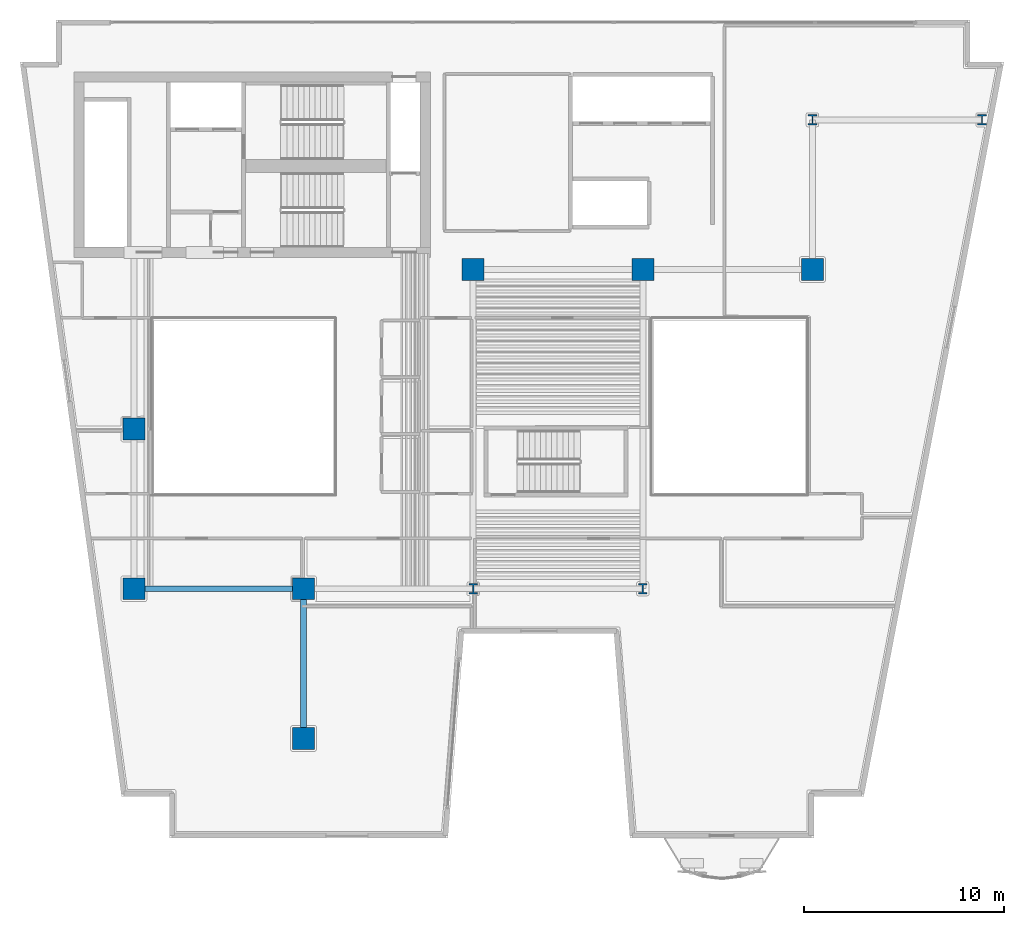
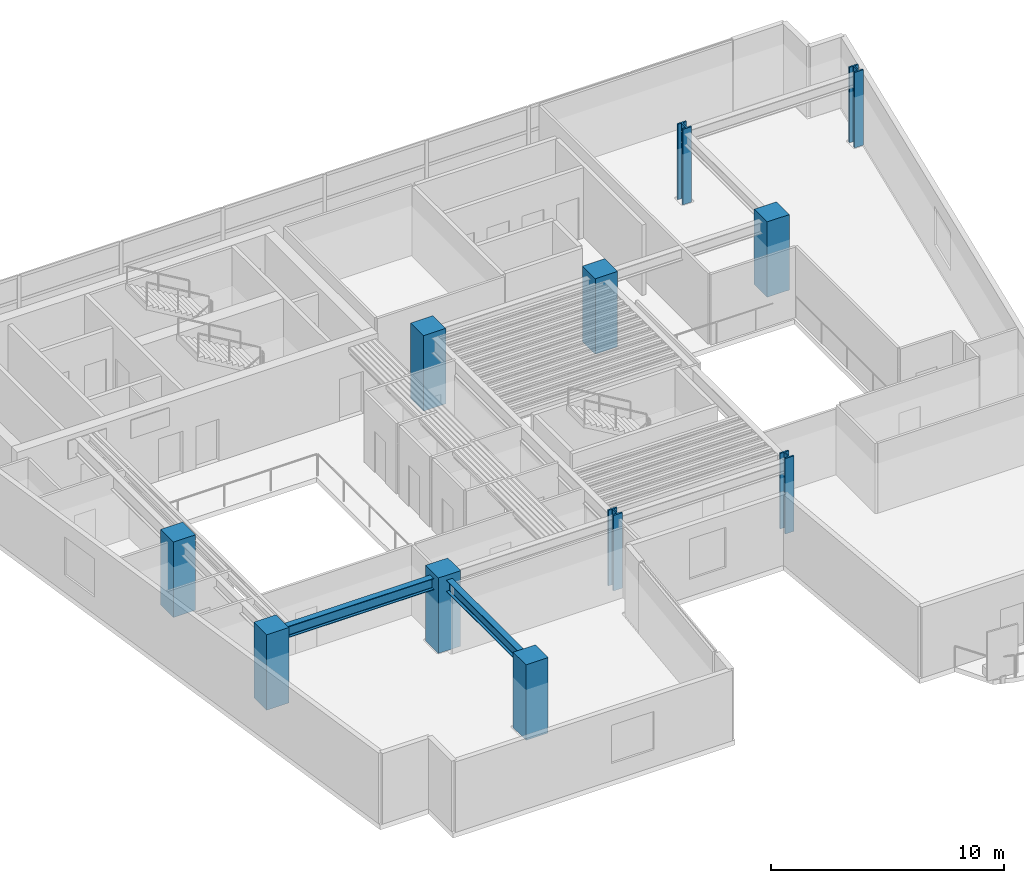
# One storey, part 1 of 12: 11 columns, 2 beams.
"""IFC4 building model written with IfcOpenShell, lengths in metres."""

from ifc_helpers import new_model, si_unit, direction, frame, origin, origin_2d, place, context, subcontext, project, spatial, rectangle, i_section, extrude, material, material_profile, profile_set, type_object, element, save


model = new_model("IFC4")

# Units and contexts
model_context = context("Model", 3, precision=1e-05, world=origin(), true_north=direction((0.0, 1.0)))
body_context = subcontext(model_context, "Body", "Model", "MODEL_VIEW")
ifc_project = project(units=[si_unit("LENGTHUNIT", "METRE"), si_unit("AREAUNIT", "SQUARE_METRE"), si_unit("VOLUMEUNIT", "CUBIC_METRE"), si_unit("PLANEANGLEUNIT", "RADIAN"), si_unit("MASSUNIT", "GRAM", prefix="KILO")], contexts=[model_context])

# Site, building, storey
site_placement = place(None, origin())
site = spatial("IfcSite", under=ifc_project, at=site_placement, CompositionType="ELEMENT")
building_placement = place(site_placement, origin())
building = spatial("IfcBuilding", under=site, at=building_placement, Name="Caeloran Harvest Quay", CompositionType="ELEMENT")
storey_placement = place(building_placement, frame((0.0, 0.0, 119.300048828125)))
storey = spatial("IfcBuildingStorey", under=building, at=storey_placement, Name="L27", CompositionType="ELEMENT", Elevation=119.300048828125)

# Columns
ifc_material_1 = material(Name="Concrete C70/85", Category="concrete")
ifc_material_profile_1 = material_profile(ifc_material_1, rectangle(XDim=1.10009765625, YDim=1.10009765625, at=origin_2d()), Name="RC 1100x1100")
ifc_profile_set_1 = profile_set([ifc_material_profile_1], Name="Concrete C70/85")
column_type_1 = type_object("IfcColumnType", Name="COL-MC-3-RC_1100x1100", PredefinedType="COLUMN", material=ifc_profile_set_1)
for number, where, z_axis, x_axis, name in (
    (1, (8.5, 15.0, 0.0), (0.0, 0.0, 1.0), (1.0, 0.0, 0.0), "L27 Structural Column (8.5, 15.0)"),
    (2, (8.5, 23.0, 0.0), (0.0, 0.0, 1.0), (1.0, 0.0, 0.0), "L27 Structural Column (8.5, 23.0)"),
    (3, (17.0, 7.5, 0.0), (0.0, 0.0, 1.0), (1.0, 0.0, 0.0), "L27 Structural Column (17.0, 7.5)"),
    (4, (17.0, 15.0, 0.0), (0.0, 0.0, 1.0), (1.0, 0.0, 0.0), "L27 Structural Column (17.0, 15.0)"),
    (5, (25.5, 31.0, 0.0), (0.0, 0.0, 1.0), (1.0, 0.0, 0.0), "L27 Structural Column (25.5, 31.0)"),
    (6, (34.0, 31.0, 0.0), (0.0, 0.0, 1.0), (1.0, 0.0, 0.0), "L27 Structural Column (34.0, 31.0)"),
    (7, (42.5, 31.0, 0.0), (0.0, 0.0, 1.0), (1.0, 0.0, 0.0), "L27 Structural Column (42.5, 31.0)"),
):
    element("IfcColumn", number, at=place(storey_placement, frame(where, z_axis=z_axis, x_axis=x_axis)), inside=storey, type_object=column_type_1, Name=name, PredefinedType="COLUMN", context=body_context, shape_type="SweptSolid", body=[
        extrude(rectangle(XDim=1.10009765625, YDim=1.10009765625, at=origin_2d()), origin(), (0.0, 0.0, 1.0), 3.949951171875),
    ])
ifc_material_2 = material(Name="Steel HISTAR 460", Category="steel")
ifc_material_profile_2 = material_profile(ifc_material_2, i_section(OverallWidth=0.43701171875, OverallDepth=0.513916015625, WebThickness=0.060546875, FlangeThickness=0.076904296875, FilletRadius=0.014892578125, at=origin_2d()), Name="HD 400x818")
ifc_profile_set_2 = profile_set([ifc_material_profile_2], Name="Steel HISTAR 460")
column_type_2 = type_object("IfcColumnType", Name="COL-SC-2-HD_400x818", PredefinedType="COLUMN", material=ifc_profile_set_2)
for number, where, z_axis, x_axis, name in (
    (8, (25.5, 15.0, 0.0), (0.0, 0.0, 1.0), (1.0, 0.0, 0.0), "L27 Structural Column (25.5, 15.0)"),
    (9, (34.0, 15.0, 0.0), (0.0, 0.0, 1.0), (1.0, 0.0, 0.0), "L27 Structural Column (34.0, 15.0)"),
    (10, (42.5, 38.5, 0.0), (0.0, 0.0, 1.0), (1.0, 0.0, 0.0), "L27 Structural Column (42.5, 38.5)"),
    (11, (51.0, 38.5, 0.0), (0.0, 0.0, 1.0), (1.0, 0.0, 0.0), "L27 Structural Column (51.0, 38.5)"),
):
    element("IfcColumn", number, at=place(storey_placement, frame(where, z_axis=z_axis, x_axis=x_axis)), inside=storey, type_object=column_type_2, Name=name, PredefinedType="COLUMN", context=body_context, shape_type="SweptSolid", body=[
        extrude(i_section(OverallWidth=0.43701171875, OverallDepth=0.513916015625, WebThickness=0.060546875, FlangeThickness=0.076904296875, FilletRadius=0.014892578125, at=origin_2d()), origin(), (0.0, 0.0, 1.0), 3.949951171875),
    ])

# Beams
ifc_material_3 = material(Name="Steel S355J2", Category="steel")
ifc_material_profile_3 = material_profile(ifc_material_3, i_section(OverallWidth=0.300048828125, OverallDepth=0.60009765625, WebThickness=0.015380859375, FlangeThickness=0.030029296875, FilletRadius=0.027099609375, at=origin_2d()), Name="HE 600 B")
ifc_profile_set_3 = profile_set([ifc_material_profile_3], Name="Steel S355J2")
beam_type = type_object("IfcBeamType", Name="BM-PG-3-HE_600_B", PredefinedType="BEAM", material=ifc_profile_set_3)
beam_1_placement = place(storey_placement, frame((8.5, 15.0, 3.389892578125), z_axis=(1.0, 0.0, 0.0), x_axis=(0.0, 1.0, 0.0)))
element("IfcBeam", 12, at=beam_1_placement, inside=storey, type_object=beam_type, Name="L27 Primary East-West Girder Y=15.0", PredefinedType="BEAM", context=body_context, shape_type="SweptSolid", body=[
    extrude(i_section(OverallWidth=0.300048828125, OverallDepth=0.60009765625, WebThickness=0.015380859375, FlangeThickness=0.030029296875, FilletRadius=0.027099609375, at=origin_2d()), origin(), (0.0, 0.0, 1.0), 8.5),
])
beam_2_placement = place(storey_placement, frame((17.0, 7.5, 3.389892578125), z_axis=(0.0, 1.0, 0.0), x_axis=(-1.0, 0.0, 0.0)))
element("IfcBeam", 13, at=beam_2_placement, inside=storey, type_object=beam_type, Name="L27 Primary North-South Girder X=17.0", PredefinedType="BEAM", context=body_context, shape_type="SweptSolid", body=[
    extrude(i_section(OverallWidth=0.300048828125, OverallDepth=0.60009765625, WebThickness=0.015380859375, FlangeThickness=0.030029296875, FilletRadius=0.027099609375, at=origin_2d()), origin(), (0.0, 0.0, 1.0), 7.5),
])

save(model, "model.ifc")
